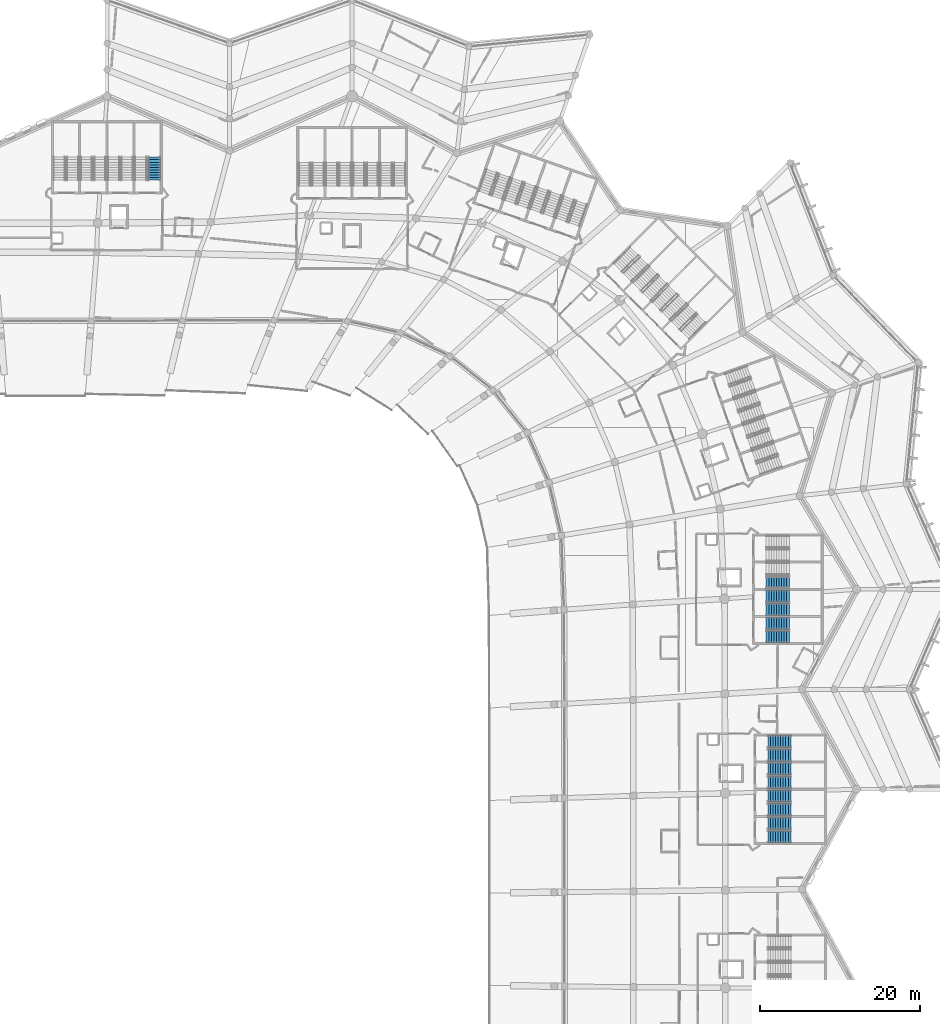
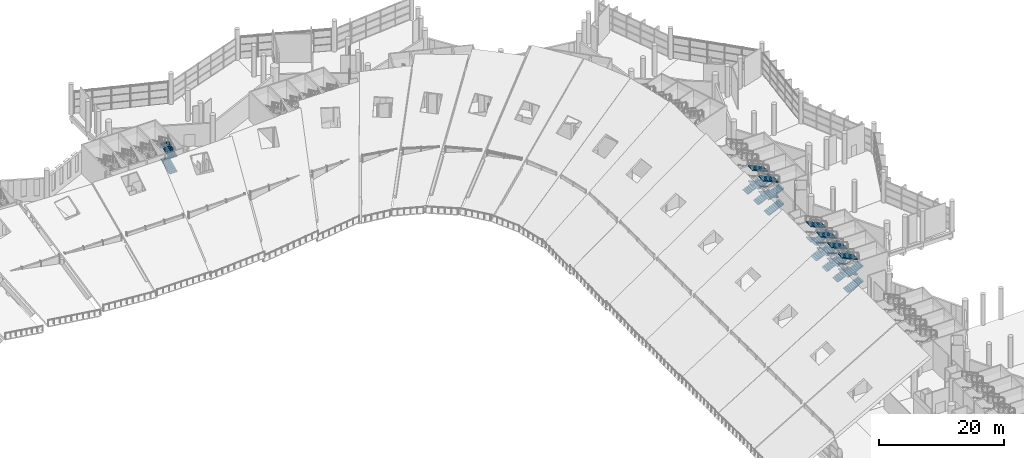
# One storey, part 195 of 249: 27 stair flights, 8 elements without a shape of their own.
"""IFC4 building model written with IfcOpenShell, lengths in metres."""

from ifc_helpers import new_model, si_unit, direction, frame, origin, place, context, subcontext, project, spatial, polyline, outline, extrude, material, type_object, element, aggregate, save


model = new_model("IFC4")

# Units and contexts
model_context = context("Model", 3, precision=1e-05, world=origin(), true_north=direction((0.0, 1.0)))
body_context = subcontext(model_context, "Body", "Model", "MODEL_VIEW")
ifc_project = project(units=[si_unit("LENGTHUNIT", "METRE"), si_unit("AREAUNIT", "SQUARE_METRE"), si_unit("VOLUMEUNIT", "CUBIC_METRE"), si_unit("PLANEANGLEUNIT", "RADIAN"), si_unit("MASSUNIT", "GRAM", prefix="KILO")], contexts=[model_context])

# Site, building, storey
site_placement = place(None, origin())
site = spatial("IfcSite", under=ifc_project, at=site_placement, CompositionType="ELEMENT")
building_placement = place(site_placement, origin())
building = spatial("IfcBuilding", under=site, at=building_placement, Name="Meseta Stadium", CompositionType="ELEMENT")
storey_placement = place(building_placement, frame((0.0, 0.0, 12.0)))
storey = spatial("IfcBuildingStorey", under=building, at=storey_placement, Name="L02", CompositionType="ELEMENT", Elevation=12.0)

# Stair, stair flights
ifc_material_1 = material(Name="Concrete C40/50", Category="concrete")
stair_type = type_object("IfcStairType", Name="Exit stair 4 flights 150 mm risers", PredefinedType="HALF_TURN_STAIR", material=ifc_material_1)
stair_1_placement = place(storey_placement, origin())
stair_1 = element("IfcStair", 1, at=stair_1_placement, inside=storey, type_object=stair_type, Name="ST13 L02", PredefinedType="HALF_TURN_STAIR")
ifc_material_2 = material(Name="Concrete C40/50", Category="concrete")
stair_flight_type = type_object("IfcStairFlightType", Name="Exit stair flight 150 mm risers, 4 per storey", PredefinedType="STRAIGHT", material=ifc_material_2)
stair_flight_1_placement = place(storey_placement, frame((90.300048828125, 12.800048828125, 0.0), z_axis=(0.0, 0.0, 1.0), x_axis=(1.0, 0.0, 0.0)))
stair_flight_1 = element("IfcStairFlight", 2, at=stair_flight_1_placement, type_object=stair_flight_type, Name="ST13 L02 flight 1", NumberOfRisers=10, NumberOfTreads=9, PredefinedType="STRAIGHT", RiserHeight=0.15, TreadLength=0.32, context=body_context, shape_type="SweptSolid", body=[
    extrude(outline(polyline([(0.0, 0.0), (0.0, 0.14990234375), (0.320068359375, 0.14990234375), (0.320068359375, 0.300048828125), (0.639892578125, 0.300048828125), (0.639892578125, 0.449951171875), (0.9599609375, 0.449951171875), (0.9599609375, 0.60009765625), (1.280029296875, 0.60009765625), (1.280029296875, 0.75), (1.60009765625, 0.75), (1.60009765625, 0.89990234375), (1.919921875, 0.89990234375), (1.919921875, 1.050048828125), (2.239990234375, 1.050048828125), (2.239990234375, 1.199951171875), (2.56005859375, 1.199951171875), (2.56005859375, 1.35009765625), (2.8798828125, 1.35009765625), (2.8798828125, 1.184326171875), (0.353271484375, 0.0), (0.0, 0.0)])), frame((0.0, 0.75, 0.0), z_axis=(0.0, -1.0, 0.0), x_axis=(1.0, 0.0, 0.0)), (0.0, 0.0, 1.0), 1.5),
])
stair_flight_2_placement = place(storey_placement, frame((93.179931640625, 14.5, 1.5), z_axis=(0.0, 0.0, 1.0), x_axis=(-1.0, 0.0, 0.0)))
stair_flight_2 = element("IfcStairFlight", 3, at=stair_flight_2_placement, type_object=stair_flight_type, Name="ST13 L02 flight 2", NumberOfRisers=10, NumberOfTreads=9, PredefinedType="STRAIGHT", RiserHeight=0.15, TreadLength=0.32, context=body_context, shape_type="SweptSolid", body=[
    extrude(outline(polyline([(0.0, 0.0), (0.0, 0.14990234375), (0.320068359375, 0.14990234375), (0.320068359375, 0.300048828125), (0.639892578125, 0.300048828125), (0.639892578125, 0.449951171875), (0.9599609375, 0.449951171875), (0.9599609375, 0.60009765625), (1.280029296875, 0.60009765625), (1.280029296875, 0.75), (1.60009765625, 0.75), (1.60009765625, 0.89990234375), (1.919921875, 0.89990234375), (1.919921875, 1.050048828125), (2.239990234375, 1.050048828125), (2.239990234375, 1.199951171875), (2.56005859375, 1.199951171875), (2.56005859375, 1.35009765625), (2.8798828125, 1.35009765625), (2.8798828125, 1.184326171875), (0.353271484375, 0.0), (0.0, 0.0)])), frame((0.0, 0.75, 0.0), z_axis=(0.0, -1.0, 0.0), x_axis=(1.0, 0.0, 0.0)), (0.0, 0.0, 1.0), 1.5),
])
stair_flight_3_placement = place(storey_placement, frame((90.300048828125, 12.800048828125, 3.0), z_axis=(0.0, 0.0, 1.0), x_axis=(1.0, 0.0, 0.0)))
stair_flight_3 = element("IfcStairFlight", 4, at=stair_flight_3_placement, type_object=stair_flight_type, Name="ST13 L02 flight 3", NumberOfRisers=10, NumberOfTreads=9, PredefinedType="STRAIGHT", RiserHeight=0.15, TreadLength=0.32, context=body_context, shape_type="SweptSolid", body=[
    extrude(outline(polyline([(0.0, 0.0), (0.0, 0.14990234375), (0.320068359375, 0.14990234375), (0.320068359375, 0.300048828125), (0.639892578125, 0.300048828125), (0.639892578125, 0.449951171875), (0.9599609375, 0.449951171875), (0.9599609375, 0.60009765625), (1.280029296875, 0.60009765625), (1.280029296875, 0.75), (1.60009765625, 0.75), (1.60009765625, 0.89990234375), (1.919921875, 0.89990234375), (1.919921875, 1.050048828125), (2.239990234375, 1.050048828125), (2.239990234375, 1.199951171875), (2.56005859375, 1.199951171875), (2.56005859375, 1.35009765625), (2.8798828125, 1.35009765625), (2.8798828125, 1.184326171875), (0.353271484375, 0.0), (0.0, 0.0)])), frame((0.0, 0.75, 0.0), z_axis=(0.0, -1.0, 0.0), x_axis=(1.0, 0.0, 0.0)), (0.0, 0.0, 1.0), 1.5),
])
stair_flight_4_placement = place(storey_placement, frame((93.179931640625, 14.5, 4.5), z_axis=(0.0, 0.0, 1.0), x_axis=(-1.0, 0.0, 0.0)))
stair_flight_4 = element("IfcStairFlight", 5, at=stair_flight_4_placement, type_object=stair_flight_type, Name="ST13 L02 flight 4", NumberOfRisers=10, NumberOfTreads=9, PredefinedType="STRAIGHT", RiserHeight=0.15, TreadLength=0.32, context=body_context, shape_type="SweptSolid", body=[
    extrude(outline(polyline([(0.0, 0.0), (0.0, 0.14990234375), (0.320068359375, 0.14990234375), (0.320068359375, 0.300048828125), (0.639892578125, 0.300048828125), (0.639892578125, 0.449951171875), (0.9599609375, 0.449951171875), (0.9599609375, 0.60009765625), (1.280029296875, 0.60009765625), (1.280029296875, 0.75), (1.60009765625, 0.75), (1.60009765625, 0.89990234375), (1.919921875, 0.89990234375), (1.919921875, 1.050048828125), (2.239990234375, 1.050048828125), (2.239990234375, 1.199951171875), (2.56005859375, 1.199951171875), (2.56005859375, 1.35009765625), (2.8798828125, 1.35009765625), (2.8798828125, 1.184326171875), (0.353271484375, 0.0), (0.0, 0.0)])), frame((0.0, 0.75, 0.0), z_axis=(0.0, -1.0, 0.0), x_axis=(1.0, 0.0, 0.0)), (0.0, 0.0, 1.0), 1.5),
])
aggregate(stair_1, [stair_flight_1, stair_flight_2, stair_flight_3, stair_flight_4])

stair_2_placement = place(storey_placement, origin())
stair_2 = element("IfcStair", 6, at=stair_2_placement, inside=storey, type_object=stair_type, Name="ST14 L02", PredefinedType="HALF_TURN_STAIR")
stair_flight_5_placement = place(storey_placement, frame((90.300048828125, 16.199951171875, 0.0), z_axis=(0.0, 0.0, 1.0), x_axis=(1.0, 0.0, 0.0)))
stair_flight_5 = element("IfcStairFlight", 7, at=stair_flight_5_placement, type_object=stair_flight_type, Name="ST14 L02 flight 1", NumberOfRisers=10, NumberOfTreads=9, PredefinedType="STRAIGHT", RiserHeight=0.15, TreadLength=0.32, context=body_context, shape_type="SweptSolid", body=[
    extrude(outline(polyline([(0.0, 0.0), (0.0, 0.14990234375), (0.320068359375, 0.14990234375), (0.320068359375, 0.300048828125), (0.639892578125, 0.300048828125), (0.639892578125, 0.449951171875), (0.9599609375, 0.449951171875), (0.9599609375, 0.60009765625), (1.280029296875, 0.60009765625), (1.280029296875, 0.75), (1.60009765625, 0.75), (1.60009765625, 0.89990234375), (1.919921875, 0.89990234375), (1.919921875, 1.050048828125), (2.239990234375, 1.050048828125), (2.239990234375, 1.199951171875), (2.56005859375, 1.199951171875), (2.56005859375, 1.35009765625), (2.8798828125, 1.35009765625), (2.8798828125, 1.184326171875), (0.353271484375, 0.0), (0.0, 0.0)])), frame((0.0, 0.75, 0.0), z_axis=(0.0, -1.0, 0.0), x_axis=(1.0, 0.0, 0.0)), (0.0, 0.0, 1.0), 1.5),
])
stair_flight_6_placement = place(storey_placement, frame((93.179931640625, 17.89990234375, 1.5), z_axis=(0.0, 0.0, 1.0), x_axis=(-1.0, 0.0, 0.0)))
stair_flight_6 = element("IfcStairFlight", 8, at=stair_flight_6_placement, type_object=stair_flight_type, Name="ST14 L02 flight 2", NumberOfRisers=10, NumberOfTreads=9, PredefinedType="STRAIGHT", RiserHeight=0.15, TreadLength=0.32, context=body_context, shape_type="SweptSolid", body=[
    extrude(outline(polyline([(0.0, 0.0), (0.0, 0.14990234375), (0.320068359375, 0.14990234375), (0.320068359375, 0.300048828125), (0.639892578125, 0.300048828125), (0.639892578125, 0.449951171875), (0.9599609375, 0.449951171875), (0.9599609375, 0.60009765625), (1.280029296875, 0.60009765625), (1.280029296875, 0.75), (1.60009765625, 0.75), (1.60009765625, 0.89990234375), (1.919921875, 0.89990234375), (1.919921875, 1.050048828125), (2.239990234375, 1.050048828125), (2.239990234375, 1.199951171875), (2.56005859375, 1.199951171875), (2.56005859375, 1.35009765625), (2.8798828125, 1.35009765625), (2.8798828125, 1.184326171875), (0.353271484375, 0.0), (0.0, 0.0)])), frame((0.0, 0.75, 0.0), z_axis=(0.0, -1.0, 0.0), x_axis=(1.0, 0.0, 0.0)), (0.0, 0.0, 1.0), 1.5),
])
stair_flight_7_placement = place(storey_placement, frame((90.300048828125, 16.199951171875, 3.0), z_axis=(0.0, 0.0, 1.0), x_axis=(1.0, 0.0, 0.0)))
stair_flight_7 = element("IfcStairFlight", 9, at=stair_flight_7_placement, type_object=stair_flight_type, Name="ST14 L02 flight 3", NumberOfRisers=10, NumberOfTreads=9, PredefinedType="STRAIGHT", RiserHeight=0.15, TreadLength=0.32, context=body_context, shape_type="SweptSolid", body=[
    extrude(outline(polyline([(0.0, 0.0), (0.0, 0.14990234375), (0.320068359375, 0.14990234375), (0.320068359375, 0.300048828125), (0.639892578125, 0.300048828125), (0.639892578125, 0.449951171875), (0.9599609375, 0.449951171875), (0.9599609375, 0.60009765625), (1.280029296875, 0.60009765625), (1.280029296875, 0.75), (1.60009765625, 0.75), (1.60009765625, 0.89990234375), (1.919921875, 0.89990234375), (1.919921875, 1.050048828125), (2.239990234375, 1.050048828125), (2.239990234375, 1.199951171875), (2.56005859375, 1.199951171875), (2.56005859375, 1.35009765625), (2.8798828125, 1.35009765625), (2.8798828125, 1.184326171875), (0.353271484375, 0.0), (0.0, 0.0)])), frame((0.0, 0.75, 0.0), z_axis=(0.0, -1.0, 0.0), x_axis=(1.0, 0.0, 0.0)), (0.0, 0.0, 1.0), 1.5),
])
stair_flight_8_placement = place(storey_placement, frame((93.179931640625, 17.89990234375, 4.5), z_axis=(0.0, 0.0, 1.0), x_axis=(-1.0, 0.0, 0.0)))
stair_flight_8 = element("IfcStairFlight", 10, at=stair_flight_8_placement, type_object=stair_flight_type, Name="ST14 L02 flight 4", NumberOfRisers=10, NumberOfTreads=9, PredefinedType="STRAIGHT", RiserHeight=0.15, TreadLength=0.32, context=body_context, shape_type="SweptSolid", body=[
    extrude(outline(polyline([(0.0, 0.0), (0.0, 0.14990234375), (0.320068359375, 0.14990234375), (0.320068359375, 0.300048828125), (0.639892578125, 0.300048828125), (0.639892578125, 0.449951171875), (0.9599609375, 0.449951171875), (0.9599609375, 0.60009765625), (1.280029296875, 0.60009765625), (1.280029296875, 0.75), (1.60009765625, 0.75), (1.60009765625, 0.89990234375), (1.919921875, 0.89990234375), (1.919921875, 1.050048828125), (2.239990234375, 1.050048828125), (2.239990234375, 1.199951171875), (2.56005859375, 1.199951171875), (2.56005859375, 1.35009765625), (2.8798828125, 1.35009765625), (2.8798828125, 1.184326171875), (0.353271484375, 0.0), (0.0, 0.0)])), frame((0.0, 0.75, 0.0), z_axis=(0.0, -1.0, 0.0), x_axis=(1.0, 0.0, 0.0)), (0.0, 0.0, 1.0), 1.5),
])
aggregate(stair_2, [stair_flight_5, stair_flight_6, stair_flight_7, stair_flight_8])

stair_3_placement = place(storey_placement, origin())
stair_3 = element("IfcStair", 11, at=stair_3_placement, inside=storey, type_object=stair_type, Name="ST15 L02", PredefinedType="HALF_TURN_STAIR")
stair_flight_9_placement = place(storey_placement, frame((90.300048828125, 19.60009765625, 0.0), z_axis=(0.0, 0.0, 1.0), x_axis=(1.0, 0.0, 0.0)))
stair_flight_9 = element("IfcStairFlight", 12, at=stair_flight_9_placement, type_object=stair_flight_type, Name="ST15 L02 flight 1", NumberOfRisers=10, NumberOfTreads=9, PredefinedType="STRAIGHT", RiserHeight=0.15, TreadLength=0.32, context=body_context, shape_type="SweptSolid", body=[
    extrude(outline(polyline([(0.0, 0.0), (0.0, 0.14990234375), (0.320068359375, 0.14990234375), (0.320068359375, 0.300048828125), (0.639892578125, 0.300048828125), (0.639892578125, 0.449951171875), (0.9599609375, 0.449951171875), (0.9599609375, 0.60009765625), (1.280029296875, 0.60009765625), (1.280029296875, 0.75), (1.60009765625, 0.75), (1.60009765625, 0.89990234375), (1.919921875, 0.89990234375), (1.919921875, 1.050048828125), (2.239990234375, 1.050048828125), (2.239990234375, 1.199951171875), (2.56005859375, 1.199951171875), (2.56005859375, 1.35009765625), (2.8798828125, 1.35009765625), (2.8798828125, 1.184326171875), (0.353271484375, 0.0), (0.0, 0.0)])), frame((0.0, 0.75, 0.0), z_axis=(0.0, -1.0, 0.0), x_axis=(1.0, 0.0, 0.0)), (0.0, 0.0, 1.0), 1.5),
])
stair_flight_10_placement = place(storey_placement, frame((93.179931640625, 21.300048828125, 1.5), z_axis=(0.0, 0.0, 1.0), x_axis=(-1.0, 0.0, 0.0)))
stair_flight_10 = element("IfcStairFlight", 13, at=stair_flight_10_placement, type_object=stair_flight_type, Name="ST15 L02 flight 2", NumberOfRisers=10, NumberOfTreads=9, PredefinedType="STRAIGHT", RiserHeight=0.15, TreadLength=0.32, context=body_context, shape_type="SweptSolid", body=[
    extrude(outline(polyline([(0.0, 0.0), (0.0, 0.14990234375), (0.320068359375, 0.14990234375), (0.320068359375, 0.300048828125), (0.639892578125, 0.300048828125), (0.639892578125, 0.449951171875), (0.9599609375, 0.449951171875), (0.9599609375, 0.60009765625), (1.280029296875, 0.60009765625), (1.280029296875, 0.75), (1.60009765625, 0.75), (1.60009765625, 0.89990234375), (1.919921875, 0.89990234375), (1.919921875, 1.050048828125), (2.239990234375, 1.050048828125), (2.239990234375, 1.199951171875), (2.56005859375, 1.199951171875), (2.56005859375, 1.35009765625), (2.8798828125, 1.35009765625), (2.8798828125, 1.184326171875), (0.353271484375, 0.0), (0.0, 0.0)])), frame((0.0, 0.75, 0.0), z_axis=(0.0, -1.0, 0.0), x_axis=(1.0, 0.0, 0.0)), (0.0, 0.0, 1.0), 1.5),
])
stair_flight_11_placement = place(storey_placement, frame((90.300048828125, 19.60009765625, 3.0), z_axis=(0.0, 0.0, 1.0), x_axis=(1.0, 0.0, 0.0)))
stair_flight_11 = element("IfcStairFlight", 14, at=stair_flight_11_placement, type_object=stair_flight_type, Name="ST15 L02 flight 3", NumberOfRisers=10, NumberOfTreads=9, PredefinedType="STRAIGHT", RiserHeight=0.15, TreadLength=0.32, context=body_context, shape_type="SweptSolid", body=[
    extrude(outline(polyline([(0.0, 0.0), (0.0, 0.14990234375), (0.320068359375, 0.14990234375), (0.320068359375, 0.300048828125), (0.639892578125, 0.300048828125), (0.639892578125, 0.449951171875), (0.9599609375, 0.449951171875), (0.9599609375, 0.60009765625), (1.280029296875, 0.60009765625), (1.280029296875, 0.75), (1.60009765625, 0.75), (1.60009765625, 0.89990234375), (1.919921875, 0.89990234375), (1.919921875, 1.050048828125), (2.239990234375, 1.050048828125), (2.239990234375, 1.199951171875), (2.56005859375, 1.199951171875), (2.56005859375, 1.35009765625), (2.8798828125, 1.35009765625), (2.8798828125, 1.184326171875), (0.353271484375, 0.0), (0.0, 0.0)])), frame((0.0, 0.75, 0.0), z_axis=(0.0, -1.0, 0.0), x_axis=(1.0, 0.0, 0.0)), (0.0, 0.0, 1.0), 1.5),
])
stair_flight_12_placement = place(storey_placement, frame((93.179931640625, 21.300048828125, 4.5), z_axis=(0.0, 0.0, 1.0), x_axis=(-1.0, 0.0, 0.0)))
stair_flight_12 = element("IfcStairFlight", 15, at=stair_flight_12_placement, type_object=stair_flight_type, Name="ST15 L02 flight 4", NumberOfRisers=10, NumberOfTreads=9, PredefinedType="STRAIGHT", RiserHeight=0.15, TreadLength=0.32, context=body_context, shape_type="SweptSolid", body=[
    extrude(outline(polyline([(0.0, 0.0), (0.0, 0.14990234375), (0.320068359375, 0.14990234375), (0.320068359375, 0.300048828125), (0.639892578125, 0.300048828125), (0.639892578125, 0.449951171875), (0.9599609375, 0.449951171875), (0.9599609375, 0.60009765625), (1.280029296875, 0.60009765625), (1.280029296875, 0.75), (1.60009765625, 0.75), (1.60009765625, 0.89990234375), (1.919921875, 0.89990234375), (1.919921875, 1.050048828125), (2.239990234375, 1.050048828125), (2.239990234375, 1.199951171875), (2.56005859375, 1.199951171875), (2.56005859375, 1.35009765625), (2.8798828125, 1.35009765625), (2.8798828125, 1.184326171875), (0.353271484375, 0.0), (0.0, 0.0)])), frame((0.0, 0.75, 0.0), z_axis=(0.0, -1.0, 0.0), x_axis=(1.0, 0.0, 0.0)), (0.0, 0.0, 1.0), 1.5),
])
aggregate(stair_3, [stair_flight_9, stair_flight_10, stair_flight_11, stair_flight_12])

stair_4_placement = place(storey_placement, origin())
stair_4 = element("IfcStair", 16, at=stair_4_placement, inside=storey, type_object=stair_type, Name="ST16 L02", PredefinedType="HALF_TURN_STAIR")
stair_flight_13_placement = place(storey_placement, frame((90.300048828125, 23.0, 0.0), z_axis=(0.0, 0.0, 1.0), x_axis=(1.0, 0.0, 0.0)))
stair_flight_13 = element("IfcStairFlight", 17, at=stair_flight_13_placement, type_object=stair_flight_type, Name="ST16 L02 flight 1", NumberOfRisers=10, NumberOfTreads=9, PredefinedType="STRAIGHT", RiserHeight=0.15, TreadLength=0.32, context=body_context, shape_type="SweptSolid", body=[
    extrude(outline(polyline([(0.0, 0.0), (0.0, 0.14990234375), (0.320068359375, 0.14990234375), (0.320068359375, 0.300048828125), (0.639892578125, 0.300048828125), (0.639892578125, 0.449951171875), (0.9599609375, 0.449951171875), (0.9599609375, 0.60009765625), (1.280029296875, 0.60009765625), (1.280029296875, 0.75), (1.60009765625, 0.75), (1.60009765625, 0.89990234375), (1.919921875, 0.89990234375), (1.919921875, 1.050048828125), (2.239990234375, 1.050048828125), (2.239990234375, 1.199951171875), (2.56005859375, 1.199951171875), (2.56005859375, 1.35009765625), (2.8798828125, 1.35009765625), (2.8798828125, 1.184326171875), (0.353271484375, 0.0), (0.0, 0.0)])), frame((0.0, 0.75, 0.0), z_axis=(0.0, -1.0, 0.0), x_axis=(1.0, 0.0, 0.0)), (0.0, 0.0, 1.0), 1.5),
])
stair_flight_14_placement = place(storey_placement, frame((93.179931640625, 24.699951171875, 1.5), z_axis=(0.0, 0.0, 1.0), x_axis=(-1.0, 0.0, 0.0)))
stair_flight_14 = element("IfcStairFlight", 18, at=stair_flight_14_placement, type_object=stair_flight_type, Name="ST16 L02 flight 2", NumberOfRisers=10, NumberOfTreads=9, PredefinedType="STRAIGHT", RiserHeight=0.15, TreadLength=0.32, context=body_context, shape_type="SweptSolid", body=[
    extrude(outline(polyline([(0.0, 0.0), (0.0, 0.14990234375), (0.320068359375, 0.14990234375), (0.320068359375, 0.300048828125), (0.639892578125, 0.300048828125), (0.639892578125, 0.449951171875), (0.9599609375, 0.449951171875), (0.9599609375, 0.60009765625), (1.280029296875, 0.60009765625), (1.280029296875, 0.75), (1.60009765625, 0.75), (1.60009765625, 0.89990234375), (1.919921875, 0.89990234375), (1.919921875, 1.050048828125), (2.239990234375, 1.050048828125), (2.239990234375, 1.199951171875), (2.56005859375, 1.199951171875), (2.56005859375, 1.35009765625), (2.8798828125, 1.35009765625), (2.8798828125, 1.184326171875), (0.353271484375, 0.0), (0.0, 0.0)])), frame((0.0, 0.75, 0.0), z_axis=(0.0, -1.0, 0.0), x_axis=(1.0, 0.0, 0.0)), (0.0, 0.0, 1.0), 1.5),
])
stair_flight_15_placement = place(storey_placement, frame((90.300048828125, 23.0, 3.0), z_axis=(0.0, 0.0, 1.0), x_axis=(1.0, 0.0, 0.0)))
stair_flight_15 = element("IfcStairFlight", 19, at=stair_flight_15_placement, type_object=stair_flight_type, Name="ST16 L02 flight 3", NumberOfRisers=10, NumberOfTreads=9, PredefinedType="STRAIGHT", RiserHeight=0.15, TreadLength=0.32, context=body_context, shape_type="SweptSolid", body=[
    extrude(outline(polyline([(0.0, 0.0), (0.0, 0.14990234375), (0.320068359375, 0.14990234375), (0.320068359375, 0.300048828125), (0.639892578125, 0.300048828125), (0.639892578125, 0.449951171875), (0.9599609375, 0.449951171875), (0.9599609375, 0.60009765625), (1.280029296875, 0.60009765625), (1.280029296875, 0.75), (1.60009765625, 0.75), (1.60009765625, 0.89990234375), (1.919921875, 0.89990234375), (1.919921875, 1.050048828125), (2.239990234375, 1.050048828125), (2.239990234375, 1.199951171875), (2.56005859375, 1.199951171875), (2.56005859375, 1.35009765625), (2.8798828125, 1.35009765625), (2.8798828125, 1.184326171875), (0.353271484375, 0.0), (0.0, 0.0)])), frame((0.0, 0.75, 0.0), z_axis=(0.0, -1.0, 0.0), x_axis=(1.0, 0.0, 0.0)), (0.0, 0.0, 1.0), 1.5),
])
stair_flight_16_placement = place(storey_placement, frame((93.179931640625, 24.699951171875, 4.5), z_axis=(0.0, 0.0, 1.0), x_axis=(-1.0, 0.0, 0.0)))
stair_flight_16 = element("IfcStairFlight", 20, at=stair_flight_16_placement, type_object=stair_flight_type, Name="ST16 L02 flight 4", NumberOfRisers=10, NumberOfTreads=9, PredefinedType="STRAIGHT", RiserHeight=0.15, TreadLength=0.32, context=body_context, shape_type="SweptSolid", body=[
    extrude(outline(polyline([(0.0, 0.0), (0.0, 0.14990234375), (0.320068359375, 0.14990234375), (0.320068359375, 0.300048828125), (0.639892578125, 0.300048828125), (0.639892578125, 0.449951171875), (0.9599609375, 0.449951171875), (0.9599609375, 0.60009765625), (1.280029296875, 0.60009765625), (1.280029296875, 0.75), (1.60009765625, 0.75), (1.60009765625, 0.89990234375), (1.919921875, 0.89990234375), (1.919921875, 1.050048828125), (2.239990234375, 1.050048828125), (2.239990234375, 1.199951171875), (2.56005859375, 1.199951171875), (2.56005859375, 1.35009765625), (2.8798828125, 1.35009765625), (2.8798828125, 1.184326171875), (0.353271484375, 0.0), (0.0, 0.0)])), frame((0.0, 0.75, 0.0), z_axis=(0.0, -1.0, 0.0), x_axis=(1.0, 0.0, 0.0)), (0.0, 0.0, 1.0), 1.5),
])
aggregate(stair_4, [stair_flight_13, stair_flight_14, stair_flight_15, stair_flight_16])

stair_5_placement = place(storey_placement, origin())
stair_5 = element("IfcStair", 21, at=stair_5_placement, inside=storey, type_object=stair_type, Name="ST17 L02", PredefinedType="HALF_TURN_STAIR")
stair_flight_17_placement = place(storey_placement, frame((90.10009765625, 37.800048828125, 0.0), z_axis=(0.0, 0.0, 1.0), x_axis=(1.0, 0.0, 0.0)))
stair_flight_17 = element("IfcStairFlight", 22, at=stair_flight_17_placement, type_object=stair_flight_type, Name="ST17 L02 flight 1", NumberOfRisers=10, NumberOfTreads=9, PredefinedType="STRAIGHT", RiserHeight=0.15, TreadLength=0.32, context=body_context, shape_type="SweptSolid", body=[
    extrude(outline(polyline([(0.0, 0.0), (0.0, 0.14990234375), (0.320068359375, 0.14990234375), (0.320068359375, 0.300048828125), (0.639892578125, 0.300048828125), (0.639892578125, 0.449951171875), (0.9599609375, 0.449951171875), (0.9599609375, 0.60009765625), (1.280029296875, 0.60009765625), (1.280029296875, 0.75), (1.60009765625, 0.75), (1.60009765625, 0.89990234375), (1.919921875, 0.89990234375), (1.919921875, 1.050048828125), (2.239990234375, 1.050048828125), (2.239990234375, 1.199951171875), (2.56005859375, 1.199951171875), (2.56005859375, 1.35009765625), (2.8798828125, 1.35009765625), (2.8798828125, 1.184326171875), (0.353271484375, 0.0), (0.0, 0.0)])), frame((0.0, 0.75, 0.0), z_axis=(0.0, -1.0, 0.0), x_axis=(1.0, 0.0, 0.0)), (0.0, 0.0, 1.0), 1.5),
])
stair_flight_18_placement = place(storey_placement, frame((92.97998046875, 39.5, 1.5), z_axis=(0.0, 0.0, 1.0), x_axis=(-1.0, 0.0, 0.0)))
stair_flight_18 = element("IfcStairFlight", 23, at=stair_flight_18_placement, type_object=stair_flight_type, Name="ST17 L02 flight 2", NumberOfRisers=10, NumberOfTreads=9, PredefinedType="STRAIGHT", RiserHeight=0.15, TreadLength=0.32, context=body_context, shape_type="SweptSolid", body=[
    extrude(outline(polyline([(0.0, 0.0), (0.0, 0.14990234375), (0.320068359375, 0.14990234375), (0.320068359375, 0.300048828125), (0.639892578125, 0.300048828125), (0.639892578125, 0.449951171875), (0.9599609375, 0.449951171875), (0.9599609375, 0.60009765625), (1.280029296875, 0.60009765625), (1.280029296875, 0.75), (1.60009765625, 0.75), (1.60009765625, 0.89990234375), (1.919921875, 0.89990234375), (1.919921875, 1.050048828125), (2.239990234375, 1.050048828125), (2.239990234375, 1.199951171875), (2.56005859375, 1.199951171875), (2.56005859375, 1.35009765625), (2.8798828125, 1.35009765625), (2.8798828125, 1.184326171875), (0.353271484375, 0.0), (0.0, 0.0)])), frame((0.0, 0.75, 0.0), z_axis=(0.0, -1.0, 0.0), x_axis=(1.0, 0.0, 0.0)), (0.0, 0.0, 1.0), 1.5),
])
stair_flight_19_placement = place(storey_placement, frame((90.10009765625, 37.800048828125, 3.0), z_axis=(0.0, 0.0, 1.0), x_axis=(1.0, 0.0, 0.0)))
stair_flight_19 = element("IfcStairFlight", 24, at=stair_flight_19_placement, type_object=stair_flight_type, Name="ST17 L02 flight 3", NumberOfRisers=10, NumberOfTreads=9, PredefinedType="STRAIGHT", RiserHeight=0.15, TreadLength=0.32, context=body_context, shape_type="SweptSolid", body=[
    extrude(outline(polyline([(0.0, 0.0), (0.0, 0.14990234375), (0.320068359375, 0.14990234375), (0.320068359375, 0.300048828125), (0.639892578125, 0.300048828125), (0.639892578125, 0.449951171875), (0.9599609375, 0.449951171875), (0.9599609375, 0.60009765625), (1.280029296875, 0.60009765625), (1.280029296875, 0.75), (1.60009765625, 0.75), (1.60009765625, 0.89990234375), (1.919921875, 0.89990234375), (1.919921875, 1.050048828125), (2.239990234375, 1.050048828125), (2.239990234375, 1.199951171875), (2.56005859375, 1.199951171875), (2.56005859375, 1.35009765625), (2.8798828125, 1.35009765625), (2.8798828125, 1.184326171875), (0.353271484375, 0.0), (0.0, 0.0)])), frame((0.0, 0.75, 0.0), z_axis=(0.0, -1.0, 0.0), x_axis=(1.0, 0.0, 0.0)), (0.0, 0.0, 1.0), 1.5),
])
stair_flight_20_placement = place(storey_placement, frame((92.97998046875, 39.5, 4.5), z_axis=(0.0, 0.0, 1.0), x_axis=(-1.0, 0.0, 0.0)))
stair_flight_20 = element("IfcStairFlight", 25, at=stair_flight_20_placement, type_object=stair_flight_type, Name="ST17 L02 flight 4", NumberOfRisers=10, NumberOfTreads=9, PredefinedType="STRAIGHT", RiserHeight=0.15, TreadLength=0.32, context=body_context, shape_type="SweptSolid", body=[
    extrude(outline(polyline([(0.0, 0.0), (0.0, 0.14990234375), (0.320068359375, 0.14990234375), (0.320068359375, 0.300048828125), (0.639892578125, 0.300048828125), (0.639892578125, 0.449951171875), (0.9599609375, 0.449951171875), (0.9599609375, 0.60009765625), (1.280029296875, 0.60009765625), (1.280029296875, 0.75), (1.60009765625, 0.75), (1.60009765625, 0.89990234375), (1.919921875, 0.89990234375), (1.919921875, 1.050048828125), (2.239990234375, 1.050048828125), (2.239990234375, 1.199951171875), (2.56005859375, 1.199951171875), (2.56005859375, 1.35009765625), (2.8798828125, 1.35009765625), (2.8798828125, 1.184326171875), (0.353271484375, 0.0), (0.0, 0.0)])), frame((0.0, 0.75, 0.0), z_axis=(0.0, -1.0, 0.0), x_axis=(1.0, 0.0, 0.0)), (0.0, 0.0, 1.0), 1.5),
])
aggregate(stair_5, [stair_flight_17, stair_flight_18, stair_flight_19, stair_flight_20])

stair_6_placement = place(storey_placement, origin())
stair_6 = element("IfcStair", 26, at=stair_6_placement, inside=storey, type_object=stair_type, Name="ST18 L02", PredefinedType="HALF_TURN_STAIR")
stair_flight_21_placement = place(storey_placement, frame((90.10009765625, 41.199951171875, 0.0), z_axis=(0.0, 0.0, 1.0), x_axis=(1.0, 0.0, 0.0)))
stair_flight_21 = element("IfcStairFlight", 27, at=stair_flight_21_placement, type_object=stair_flight_type, Name="ST18 L02 flight 1", NumberOfRisers=10, NumberOfTreads=9, PredefinedType="STRAIGHT", RiserHeight=0.15, TreadLength=0.32, context=body_context, shape_type="SweptSolid", body=[
    extrude(outline(polyline([(0.0, 0.0), (0.0, 0.14990234375), (0.320068359375, 0.14990234375), (0.320068359375, 0.300048828125), (0.639892578125, 0.300048828125), (0.639892578125, 0.449951171875), (0.9599609375, 0.449951171875), (0.9599609375, 0.60009765625), (1.280029296875, 0.60009765625), (1.280029296875, 0.75), (1.60009765625, 0.75), (1.60009765625, 0.89990234375), (1.919921875, 0.89990234375), (1.919921875, 1.050048828125), (2.239990234375, 1.050048828125), (2.239990234375, 1.199951171875), (2.56005859375, 1.199951171875), (2.56005859375, 1.35009765625), (2.8798828125, 1.35009765625), (2.8798828125, 1.184326171875), (0.353271484375, 0.0), (0.0, 0.0)])), frame((0.0, 0.75, 0.0), z_axis=(0.0, -1.0, 0.0), x_axis=(1.0, 0.0, 0.0)), (0.0, 0.0, 1.0), 1.5),
])
stair_flight_22_placement = place(storey_placement, frame((92.97998046875, 42.89990234375, 1.5), z_axis=(0.0, 0.0, 1.0), x_axis=(-1.0, 0.0, 0.0)))
stair_flight_22 = element("IfcStairFlight", 28, at=stair_flight_22_placement, type_object=stair_flight_type, Name="ST18 L02 flight 2", NumberOfRisers=10, NumberOfTreads=9, PredefinedType="STRAIGHT", RiserHeight=0.15, TreadLength=0.32, context=body_context, shape_type="SweptSolid", body=[
    extrude(outline(polyline([(0.0, 0.0), (0.0, 0.14990234375), (0.320068359375, 0.14990234375), (0.320068359375, 0.300048828125), (0.639892578125, 0.300048828125), (0.639892578125, 0.449951171875), (0.9599609375, 0.449951171875), (0.9599609375, 0.60009765625), (1.280029296875, 0.60009765625), (1.280029296875, 0.75), (1.60009765625, 0.75), (1.60009765625, 0.89990234375), (1.919921875, 0.89990234375), (1.919921875, 1.050048828125), (2.239990234375, 1.050048828125), (2.239990234375, 1.199951171875), (2.56005859375, 1.199951171875), (2.56005859375, 1.35009765625), (2.8798828125, 1.35009765625), (2.8798828125, 1.184326171875), (0.353271484375, 0.0), (0.0, 0.0)])), frame((0.0, 0.75, 0.0), z_axis=(0.0, -1.0, 0.0), x_axis=(1.0, 0.0, 0.0)), (0.0, 0.0, 1.0), 1.5),
])
stair_flight_23_placement = place(storey_placement, frame((90.10009765625, 41.199951171875, 3.0), z_axis=(0.0, 0.0, 1.0), x_axis=(1.0, 0.0, 0.0)))
stair_flight_23 = element("IfcStairFlight", 29, at=stair_flight_23_placement, type_object=stair_flight_type, Name="ST18 L02 flight 3", NumberOfRisers=10, NumberOfTreads=9, PredefinedType="STRAIGHT", RiserHeight=0.15, TreadLength=0.32, context=body_context, shape_type="SweptSolid", body=[
    extrude(outline(polyline([(0.0, 0.0), (0.0, 0.14990234375), (0.320068359375, 0.14990234375), (0.320068359375, 0.300048828125), (0.639892578125, 0.300048828125), (0.639892578125, 0.449951171875), (0.9599609375, 0.449951171875), (0.9599609375, 0.60009765625), (1.280029296875, 0.60009765625), (1.280029296875, 0.75), (1.60009765625, 0.75), (1.60009765625, 0.89990234375), (1.919921875, 0.89990234375), (1.919921875, 1.050048828125), (2.239990234375, 1.050048828125), (2.239990234375, 1.199951171875), (2.56005859375, 1.199951171875), (2.56005859375, 1.35009765625), (2.8798828125, 1.35009765625), (2.8798828125, 1.184326171875), (0.353271484375, 0.0), (0.0, 0.0)])), frame((0.0, 0.75, 0.0), z_axis=(0.0, -1.0, 0.0), x_axis=(1.0, 0.0, 0.0)), (0.0, 0.0, 1.0), 1.5),
])
stair_flight_24_placement = place(storey_placement, frame((92.97998046875, 42.89990234375, 4.5), z_axis=(0.0, 0.0, 1.0), x_axis=(-1.0, 0.0, 0.0)))
stair_flight_24 = element("IfcStairFlight", 30, at=stair_flight_24_placement, type_object=stair_flight_type, Name="ST18 L02 flight 4", NumberOfRisers=10, NumberOfTreads=9, PredefinedType="STRAIGHT", RiserHeight=0.15, TreadLength=0.32, context=body_context, shape_type="SweptSolid", body=[
    extrude(outline(polyline([(0.0, 0.0), (0.0, 0.14990234375), (0.320068359375, 0.14990234375), (0.320068359375, 0.300048828125), (0.639892578125, 0.300048828125), (0.639892578125, 0.449951171875), (0.9599609375, 0.449951171875), (0.9599609375, 0.60009765625), (1.280029296875, 0.60009765625), (1.280029296875, 0.75), (1.60009765625, 0.75), (1.60009765625, 0.89990234375), (1.919921875, 0.89990234375), (1.919921875, 1.050048828125), (2.239990234375, 1.050048828125), (2.239990234375, 1.199951171875), (2.56005859375, 1.199951171875), (2.56005859375, 1.35009765625), (2.8798828125, 1.35009765625), (2.8798828125, 1.184326171875), (0.353271484375, 0.0), (0.0, 0.0)])), frame((0.0, 0.75, 0.0), z_axis=(0.0, -1.0, 0.0), x_axis=(1.0, 0.0, 0.0)), (0.0, 0.0, 1.0), 1.5),
])
aggregate(stair_6, [stair_flight_21, stair_flight_22, stair_flight_23, stair_flight_24])

# Stair, stair flight
stair_7_placement = place(storey_placement, origin())
stair_7 = element("IfcStair", 31, at=stair_7_placement, inside=storey, type_object=stair_type, Name="ST19 L02", PredefinedType="HALF_TURN_STAIR")
stair_flight_25_placement = place(storey_placement, frame((90.10009765625, 44.60009765625, 0.0), z_axis=(0.0, 0.0, 1.0), x_axis=(1.0, 0.0, 0.0)))
stair_flight_25 = element("IfcStairFlight", 32, at=stair_flight_25_placement, type_object=stair_flight_type, Name="ST19 L02 flight 1", NumberOfRisers=10, NumberOfTreads=9, PredefinedType="STRAIGHT", RiserHeight=0.15, TreadLength=0.32, context=body_context, shape_type="SweptSolid", body=[
    extrude(outline(polyline([(0.0, 0.0), (0.0, 0.14990234375), (0.320068359375, 0.14990234375), (0.320068359375, 0.300048828125), (0.639892578125, 0.300048828125), (0.639892578125, 0.449951171875), (0.9599609375, 0.449951171875), (0.9599609375, 0.60009765625), (1.280029296875, 0.60009765625), (1.280029296875, 0.75), (1.60009765625, 0.75), (1.60009765625, 0.89990234375), (1.919921875, 0.89990234375), (1.919921875, 1.050048828125), (2.239990234375, 1.050048828125), (2.239990234375, 1.199951171875), (2.56005859375, 1.199951171875), (2.56005859375, 1.35009765625), (2.8798828125, 1.35009765625), (2.8798828125, 1.184326171875), (0.353271484375, 0.0), (0.0, 0.0)])), frame((0.0, 0.75, 0.0), z_axis=(0.0, -1.0, 0.0), x_axis=(1.0, 0.0, 0.0)), (0.0, 0.0, 1.0), 1.5),
])
aggregate(stair_7, [stair_flight_25])

# Stair, stair flights
stair_8_placement = place(storey_placement, origin())
stair_8 = element("IfcStair", 33, at=stair_8_placement, inside=storey, type_object=stair_type, Name="ST37 L02", PredefinedType="HALF_TURN_STAIR")
stair_flight_26_placement = place(storey_placement, frame((13.61669921875, 94.89990234375, 0.0), z_axis=(0.0, 0.0, 1.0), x_axis=(0.0, 1.0, 0.0)))
stair_flight_26 = element("IfcStairFlight", 34, at=stair_flight_26_placement, type_object=stair_flight_type, Name="ST37 L02 flight 1", NumberOfRisers=10, NumberOfTreads=9, PredefinedType="STRAIGHT", RiserHeight=0.15, TreadLength=0.32, context=body_context, shape_type="SweptSolid", body=[
    extrude(outline(polyline([(0.0, 0.0), (0.0, 0.14990234375), (0.320068359375, 0.14990234375), (0.320068359375, 0.300048828125), (0.639892578125, 0.300048828125), (0.639892578125, 0.449951171875), (0.9599609375, 0.449951171875), (0.9599609375, 0.60009765625), (1.280029296875, 0.60009765625), (1.280029296875, 0.75), (1.60009765625, 0.75), (1.60009765625, 0.89990234375), (1.919921875, 0.89990234375), (1.919921875, 1.050048828125), (2.239990234375, 1.050048828125), (2.239990234375, 1.199951171875), (2.56005859375, 1.199951171875), (2.56005859375, 1.35009765625), (2.8798828125, 1.35009765625), (2.8798828125, 1.184326171875), (0.353271484375, 0.0), (0.0, 0.0)])), frame((0.0, 0.75, 0.0), z_axis=(0.0, -1.0, 0.0), x_axis=(1.0, 0.0, 0.0)), (0.0, 0.0, 1.0), 1.5),
])
stair_flight_27_placement = place(storey_placement, frame((13.61669921875, 94.89990234375, 3.0), z_axis=(0.0, 0.0, 1.0), x_axis=(0.0, 1.0, 0.0)))
stair_flight_27 = element("IfcStairFlight", 35, at=stair_flight_27_placement, type_object=stair_flight_type, Name="ST37 L02 flight 3", NumberOfRisers=10, NumberOfTreads=9, PredefinedType="STRAIGHT", RiserHeight=0.15, TreadLength=0.32, context=body_context, shape_type="SweptSolid", body=[
    extrude(outline(polyline([(0.0, 0.0), (0.0, 0.14990234375), (0.320068359375, 0.14990234375), (0.320068359375, 0.300048828125), (0.639892578125, 0.300048828125), (0.639892578125, 0.449951171875), (0.9599609375, 0.449951171875), (0.9599609375, 0.60009765625), (1.280029296875, 0.60009765625), (1.280029296875, 0.75), (1.60009765625, 0.75), (1.60009765625, 0.89990234375), (1.919921875, 0.89990234375), (1.919921875, 1.050048828125), (2.239990234375, 1.050048828125), (2.239990234375, 1.199951171875), (2.56005859375, 1.199951171875), (2.56005859375, 1.35009765625), (2.8798828125, 1.35009765625), (2.8798828125, 1.184326171875), (0.353271484375, 0.0), (0.0, 0.0)])), frame((0.0, 0.75, 0.0), z_axis=(0.0, -1.0, 0.0), x_axis=(1.0, 0.0, 0.0)), (0.0, 0.0, 1.0), 1.5),
])
aggregate(stair_8, [stair_flight_26, stair_flight_27])

save(model, "model.ifc")
